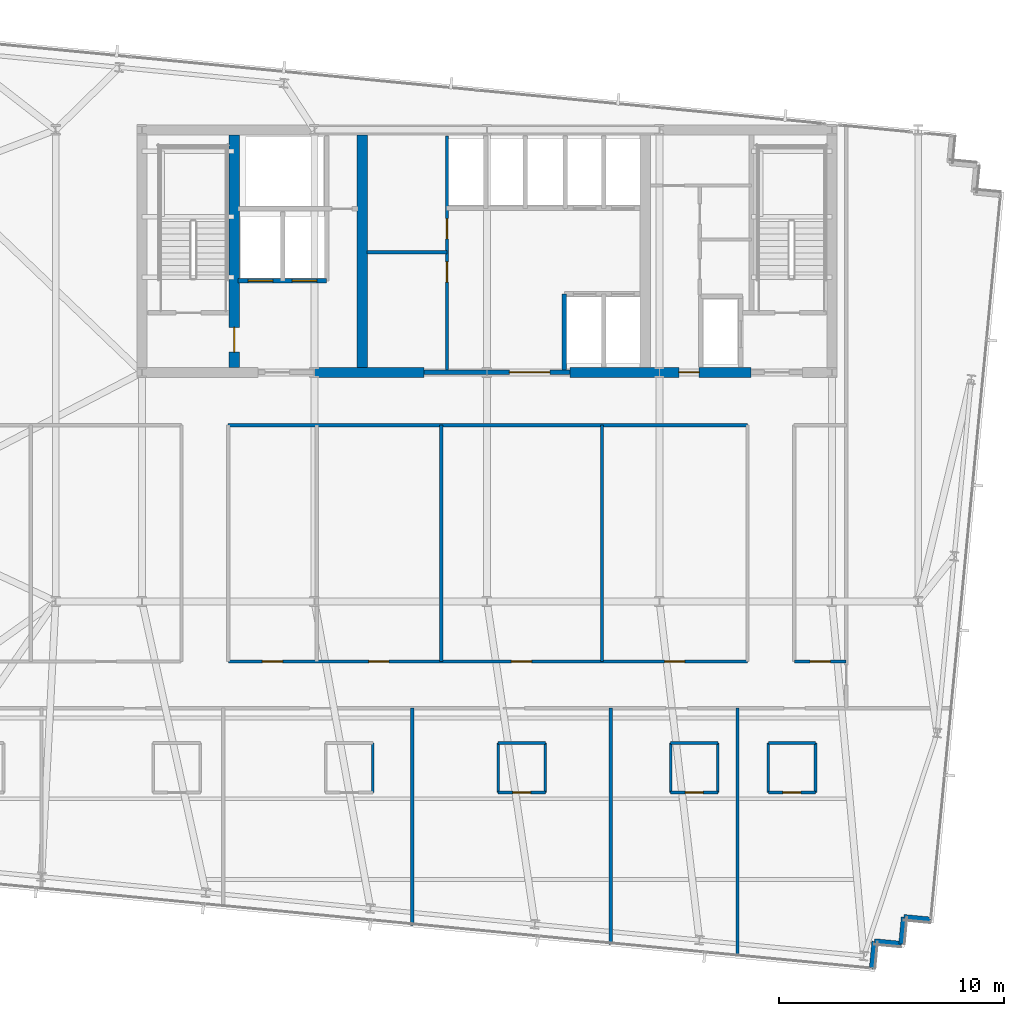
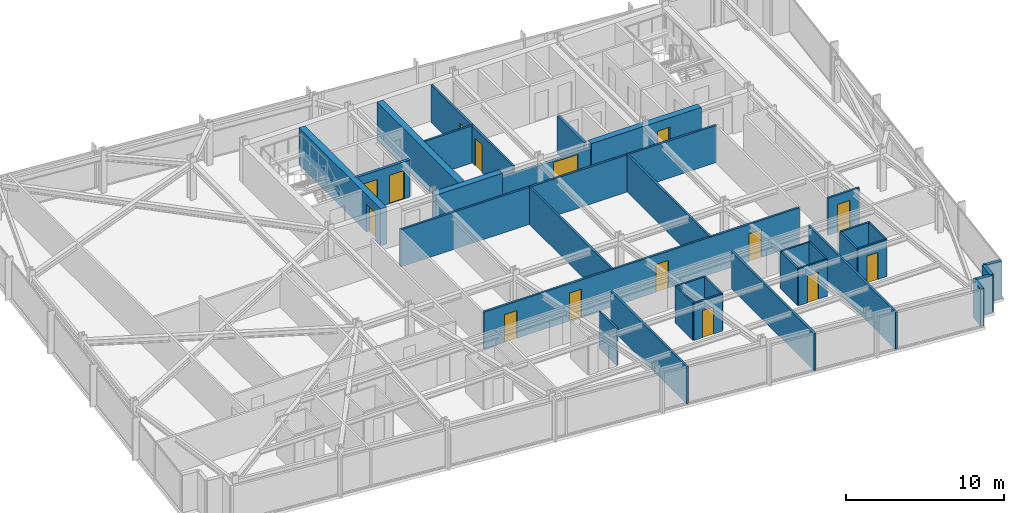
# One storey, part 30 of 37: 34 walls, 15 doors, 15 openings.
"""IFC4 building model written with IfcOpenShell, lengths in metres."""

from ifc_helpers import new_model, si_unit, direction, frame, frame_2d, origin, place, context, subcontext, project, spatial, rectangle, extrude, material, layer, layer_set, type_object, element, fill, save


model = new_model("IFC4")

# Units and contexts
model_context = context("Model", 3, precision=1e-05, world=origin(), true_north=direction((0.0, 1.0)))
body_context = subcontext(model_context, "Body", "Model", "MODEL_VIEW")
ifc_project = project(units=[si_unit("LENGTHUNIT", "METRE"), si_unit("AREAUNIT", "SQUARE_METRE"), si_unit("VOLUMEUNIT", "CUBIC_METRE"), si_unit("PLANEANGLEUNIT", "RADIAN"), si_unit("MASSUNIT", "GRAM", prefix="KILO")], contexts=[model_context])

# Site, building, storey
site_placement = place(None, origin())
site = spatial("IfcSite", under=ifc_project, at=site_placement, CompositionType="ELEMENT")
building_placement = place(site_placement, origin())
building = spatial("IfcBuilding", under=site, at=building_placement, Name="Yelkora Congress Tower", CompositionType="ELEMENT")
storey_placement = place(building_placement, frame((0.0, 0.0, 188.60009765625)))
storey = spatial("IfcBuildingStorey", under=building, at=storey_placement, Name="L52", CompositionType="ELEMENT", Elevation=188.60009765625)

# Wall
ifc_material_1 = material(Name="Concrete C60/75", Category="concrete")
ifc_layer_1 = layer(ifc_material_1, 0.449951171875)
ifc_layer_set_1 = layer_set([ifc_layer_1], Name="Concrete C60/75")
wall_type_1 = type_object("IfcWallType", Name="WALL-CORE-INT-450", PredefinedType="SHEAR", material=ifc_layer_set_1)
wall_1_placement = place(storey_placement, frame((30.719970703125, 35.39990234375, 0.0), z_axis=(0.0, 0.0, 1.0), x_axis=(1.0, 0.0, 0.0)))
element("IfcWall", 1, at=wall_1_placement, inside=storey, type_object=wall_type_1, Name="L52 Rear Core South-Center Shear Pier", PredefinedType="SHEAR", context=body_context, shape_type="SweptSolid", body=[
    extrude(rectangle(XDim=4.880126953125, YDim=0.449951171875, at=frame_2d((2.43994140625, 0.0))), origin(), (0.0, 0.0, 1.0), 2.8798828125),
])

# Wall, opening, door
wall_2_placement = place(storey_placement, frame((42.10009765625, 35.39990234375, 0.0), z_axis=(0.0, 0.0, 1.0), x_axis=(1.0, 0.0, 0.0)))
wall_2 = element("IfcWall", 2, at=wall_2_placement, inside=storey, type_object=wall_type_1, Name="L52 Rear Core South-East Shear Wall A", PredefinedType="SHEAR", context=body_context, shape_type="SweptSolid", body=[
    extrude(rectangle(XDim=8.0498046875, YDim=0.449951171875, at=frame_2d((4.02490234375, 0.0))), origin(), (0.0, 0.0, 1.0), 2.8798828125),
])
opening_1_placement = place(wall_2_placement, frame((4.85009765625, 0.0, 0.0)))
opening_1 = element("IfcOpeningElement", 3, at=opening_1_placement, cuts=wall_2, Name="Opening DR-090F6", PredefinedType="OPENING", context=body_context, shape_type="SweptSolid", body=[
    extrude(rectangle(XDim=0.89990234375, YDim=2.14990234375, at=frame_2d((0.449951171875, 1.074951171875))), frame((0.0, 0.23486328125, 0.0), z_axis=(0.0, -1.0, 0.0), x_axis=(1.0, 0.0, 0.0)), (0.0, 0.0, 1.0), 0.469970703125),
])
ifc_material_2 = material(Name="Painted steel riser fire door leaf", Category="steel")
door_type_1 = type_object("IfcDoorType", Name="DOOR-FD60-900", OperationType="NOTDEFINED", PredefinedType="DOOR", material=ifc_material_2)
door_1_placement = place(opening_1_placement, origin())
door_1 = element("IfcDoor", 4, at=door_1_placement, inside=storey, type_object=door_type_1, Name="L52 Core Washroom Lobby Door", OperationType="SINGLE_SWING_RIGHT", OverallHeight=2.14990234375, OverallWidth=0.89990234375, PredefinedType="DOOR", context=body_context, shape_type="SweptSolid", body=[
    extrude(rectangle(XDim=0.89990234375, YDim=2.14990234375, at=frame_2d((0.449951171875, 1.074951171875))), frame((0.0, 0.02490234375, 0.0), z_axis=(0.0, -1.0, 0.0), x_axis=(1.0, 0.0, 0.0)), (0.0, 0.0, 1.0), 0.050048828125),
])
fill(opening_1, door_1)

wall_3_placement = place(storey_placement, frame((27.14990234375, 35.625, 0.0), z_axis=(0.0, 0.0, 1.0), x_axis=(0.0, 1.0, 0.0)))
wall_3 = element("IfcWall", 5, at=wall_3_placement, inside=storey, type_object=wall_type_1, Name="L52 Rear Core Cross Shear Wall C1", PredefinedType="SHEAR", context=body_context, shape_type="SweptSolid", body=[
    extrude(rectangle(XDim=10.35009765625, YDim=0.449951171875, at=frame_2d((5.175048828125, 0.0))), origin(), (0.0, 0.0, 1.0), 2.8798828125),
])
opening_2_placement = place(wall_3_placement, frame((0.675048828125, 0.0, 0.0)))
opening_2 = element("IfcOpeningElement", 6, at=opening_2_placement, cuts=wall_3, Name="Opening DR-110F9", PredefinedType="OPENING", context=body_context, shape_type="SweptSolid", body=[
    extrude(rectangle(XDim=1.10009765625, YDim=2.14990234375, at=frame_2d((0.550048828125, 1.074951171875))), frame((0.0, 0.23486328125, 0.0), z_axis=(0.0, -1.0, 0.0), x_axis=(1.0, 0.0, 0.0)), (0.0, 0.0, 1.0), 0.469970703125),
])
ifc_material_3 = material(Name="Galvanised steel fire door leaf", Category="steel")
door_type_2 = type_object("IfcDoorType", Name="DOOR-FD90-1100", OperationType="NOTDEFINED", PredefinedType="DOOR", material=ifc_material_3)
door_2_placement = place(opening_2_placement, origin())
door_2 = element("IfcDoor", 7, at=door_2_placement, inside=storey, type_object=door_type_2, Name="L52 Firefighting Stair Transfer Door", OperationType="SINGLE_SWING_LEFT", OverallHeight=2.14990234375, OverallWidth=1.10009765625, PredefinedType="DOOR", context=body_context, shape_type="SweptSolid", body=[
    extrude(rectangle(XDim=1.10009765625, YDim=2.14990234375, at=frame_2d((0.550048828125, 1.074951171875))), frame((0.0, 0.02490234375, 0.0), z_axis=(0.0, -1.0, 0.0), x_axis=(1.0, 0.0, 0.0)), (0.0, 0.0, 1.0), 0.050048828125),
])
fill(opening_2, door_2)

# Walls
wall_4_placement = place(storey_placement, frame((32.85009765625, 35.625, 0.0), z_axis=(0.0, 0.0, 1.0), x_axis=(0.0, 1.0, 0.0)))
element("IfcWall", 8, at=wall_4_placement, inside=storey, type_object=wall_type_1, Name="L52 Rear Core Cross Shear Wall C2", PredefinedType="SHEAR", context=body_context, shape_type="SweptSolid", body=[
    extrude(rectangle(XDim=10.35009765625, YDim=0.449951171875, at=frame_2d((5.175048828125, 0.0))), origin(), (0.0, 0.0, 1.0), 2.8798828125),
])
ifc_material_4 = material(Name="Concrete C40/50", Category="concrete")
ifc_layer_2 = layer(ifc_material_4, 0.239990234375)
ifc_layer_set_2 = layer_set([ifc_layer_2], Name="Concrete C40/50")
wall_type_2 = type_object("IfcWallType", Name="WALL-EXT-LIMESTONE-240", PredefinedType="SOLIDWALL", material=ifc_layer_set_2)
wall_5_placement = place(storey_placement, frame((58.160400390625, 11.033203125, 0.0), z_axis=(0.0, 0.0, 1.0), x_axis=(-0.995398960025, 0.095817067274, 0.0)))
element("IfcWall", 9, at=wall_5_placement, inside=storey, type_object=wall_type_2, Name="L52 Serrated Corner Limestone Pier 16", PredefinedType="SOLIDWALL", context=body_context, shape_type="SweptSolid", body=[
    extrude(rectangle(XDim=1.2001953125, YDim=0.239990234375, at=frame_2d((0.60009765625, 0.0))), origin(), (0.0, 0.0, 1.0), 2.8798828125),
])
for number, where, z_axis, x_axis, name in (
    (10, (56.9658203125, 11.148193359375, 0.0), (0.0, 0.0, 1.0), (-0.095836473879, -0.995397091755, 0.0), "L52 Serrated Corner Limestone Pier 17"),
    (11, (56.850830078125, 9.953857421875, 0.0), (0.0, 0.0, 1.0), (-0.995397091755, 0.095836473879, 0.0), "L52 Serrated Corner Limestone Pier 18"),
):
    element("IfcWall", number, at=place(storey_placement, frame(where, z_axis=z_axis, x_axis=x_axis)), inside=storey, type_object=wall_type_2, Name=name, PredefinedType="SOLIDWALL", context=body_context, shape_type="SweptSolid", body=[
        extrude(rectangle(XDim=1.199951171875, YDim=0.239990234375, at=frame_2d((0.60009765625, 0.0))), origin(), (0.0, 0.0, 1.0), 2.8798828125),
    ])
wall_6_placement = place(storey_placement, frame((55.656494140625, 10.06884765625, 0.0), z_axis=(0.0, 0.0, 1.0), x_axis=(-0.095817067274, -0.995398960025, 0.0)))
element("IfcWall", 12, at=wall_6_placement, inside=storey, type_object=wall_type_2, Name="L52 Serrated Corner Limestone Pier 19", PredefinedType="SOLIDWALL", context=body_context, shape_type="SweptSolid", body=[
    extrude(rectangle(XDim=1.2001953125, YDim=0.239990234375, at=frame_2d((0.60009765625, 0.0))), origin(), (0.0, 0.0, 1.0), 2.8798828125),
])
ifc_material_5 = material(Name="Moisture-resistant gypsum partition", Category="gypsum")
ifc_layer_3 = layer(ifc_material_5, 0.1201171875)
ifc_layer_set_3 = layer_set([ifc_layer_3], Name="Moisture-resistant gypsum partition")
wall_type_3 = type_object("IfcWallType", Name="WALL-INT-120-NR", PredefinedType="PARTITIONING", material=ifc_layer_set_3)
wall_7_placement = place(storey_placement, frame((33.320068359375, 16.699951171875, 0.0), z_axis=(0.0, 0.0, 1.0), x_axis=(0.0, 1.0, 0.0)))
element("IfcWall", 13, at=wall_7_placement, inside=storey, type_object=wall_type_3, Name="L52 Partition Wall 43", PredefinedType="PARTITIONING", context=body_context, shape_type="SweptSolid", body=[
    extrude(rectangle(XDim=2.199951171875, YDim=0.1201171875, at=frame_2d((1.10009765625, 0.0))), origin(), (0.0, 0.0, 1.0), 2.8798828125),
])
wall_8_placement = place(storey_placement, frame((38.89990234375, 18.89990234375, 0.0), z_axis=(0.0, 0.0, 1.0), x_axis=(1.0, 0.0, 0.0)))
element("IfcWall", 14, at=wall_8_placement, inside=storey, type_object=wall_type_3, Name="L52 Partition Wall 46", PredefinedType="PARTITIONING", context=body_context, shape_type="SweptSolid", body=[
    extrude(rectangle(XDim=2.10009765625, YDim=0.1201171875, at=frame_2d((1.050048828125, 0.0))), origin(), (0.0, 0.0, 1.0), 2.8798828125),
])
for number, where, z_axis, x_axis, name in (
    (15, (38.89990234375, 16.699951171875, 0.0), (0.0, 0.0, 1.0), (0.0, 1.0, 0.0), "L52 Partition Wall 47"),
    (16, (41.0, 16.699951171875, 0.0), (0.0, 0.0, 1.0), (0.0, 1.0, 0.0), "L52 Partition Wall 48"),
):
    element("IfcWall", number, at=place(storey_placement, frame(where, z_axis=z_axis, x_axis=x_axis)), inside=storey, type_object=wall_type_3, Name=name, PredefinedType="PARTITIONING", context=body_context, shape_type="SweptSolid", body=[
        extrude(rectangle(XDim=2.199951171875, YDim=0.1201171875, at=frame_2d((1.10009765625, 0.0))), origin(), (0.0, 0.0, 1.0), 2.8798828125),
    ])

# Wall, opening, door
wall_9_placement = place(storey_placement, frame((38.89990234375, 16.699951171875, 0.0), z_axis=(0.0, 0.0, 1.0), x_axis=(1.0, 0.0, 0.0)))
wall_9 = element("IfcWall", 17, at=wall_9_placement, inside=storey, type_object=wall_type_3, Name="L52 Partition Wall 49", PredefinedType="PARTITIONING", context=body_context, shape_type="SweptSolid", body=[
    extrude(rectangle(XDim=2.10009765625, YDim=0.1201171875, at=frame_2d((1.050048828125, 0.0))), origin(), (0.0, 0.0, 1.0), 2.8798828125),
])
opening_3_placement = place(wall_9_placement, frame((0.64990234375, 0.0, 0.0)))
opening_3 = element("IfcOpeningElement", 18, at=opening_3_placement, cuts=wall_9, Name="Opening DR-080B", PredefinedType="OPENING", context=body_context, shape_type="SweptSolid", body=[
    extrude(rectangle(XDim=0.800048828125, YDim=2.10009765625, at=frame_2d((0.39990234375, 1.050048828125))), frame((0.0, 0.070068359375, 0.0), z_axis=(0.0, -1.0, 0.0), x_axis=(1.0, 0.0, 0.0)), (0.0, 0.0, 1.0), 0.14013671875),
])
ifc_material_6 = material(Name="Moisture-sealed en-suite timber door", Category="wood")
door_type_3 = type_object("IfcDoorType", Name="DOOR-BATH-800", OperationType="NOTDEFINED", PredefinedType="DOOR", material=ifc_material_6)
door_3_placement = place(opening_3_placement, origin())
door_3 = element("IfcDoor", 19, at=door_3_placement, inside=storey, type_object=door_type_3, Name="L52 En-suite Door 5", OperationType="SINGLE_SWING_LEFT", OverallHeight=2.10009765625, OverallWidth=0.800048828125, PredefinedType="DOOR", context=body_context, shape_type="SweptSolid", body=[
    extrude(rectangle(XDim=0.800048828125, YDim=2.10009765625, at=frame_2d((0.39990234375, 1.050048828125))), frame((0.0, 0.02490234375, 0.0), z_axis=(0.0, -1.0, 0.0), x_axis=(1.0, 0.0, 0.0)), (0.0, 0.0, 1.0), 0.050048828125),
])
fill(opening_3, door_3)

# Walls
wall_10_placement = place(storey_placement, frame((46.580078125, 18.89990234375, 0.0), z_axis=(0.0, 0.0, 1.0), x_axis=(1.0, 0.0, 0.0)))
element("IfcWall", 20, at=wall_10_placement, inside=storey, type_object=wall_type_3, Name="L52 Partition Wall 51", PredefinedType="PARTITIONING", context=body_context, shape_type="SweptSolid", body=[
    extrude(rectangle(XDim=2.099853515625, YDim=0.1201171875, at=frame_2d((1.0498046875, 0.0))), origin(), (0.0, 0.0, 1.0), 2.8798828125),
])
for number, where, z_axis, x_axis, name in (
    (21, (46.580078125, 16.699951171875, 0.0), (0.0, 0.0, 1.0), (0.0, 1.0, 0.0), "L52 Partition Wall 52"),
    (22, (48.679931640625, 16.699951171875, 0.0), (0.0, 0.0, 1.0), (0.0, 1.0, 0.0), "L52 Partition Wall 53"),
):
    element("IfcWall", number, at=place(storey_placement, frame(where, z_axis=z_axis, x_axis=x_axis)), inside=storey, type_object=wall_type_3, Name=name, PredefinedType="PARTITIONING", context=body_context, shape_type="SweptSolid", body=[
        extrude(rectangle(XDim=2.199951171875, YDim=0.1201171875, at=frame_2d((1.10009765625, 0.0))), origin(), (0.0, 0.0, 1.0), 2.8798828125),
    ])

# Wall, opening, door
wall_11_placement = place(storey_placement, frame((46.580078125, 16.699951171875, 0.0), z_axis=(0.0, 0.0, 1.0), x_axis=(1.0, 0.0, 0.0)))
wall_11 = element("IfcWall", 23, at=wall_11_placement, inside=storey, type_object=wall_type_3, Name="L52 Partition Wall 54", PredefinedType="PARTITIONING", context=body_context, shape_type="SweptSolid", body=[
    extrude(rectangle(XDim=2.099853515625, YDim=0.1201171875, at=frame_2d((1.0498046875, 0.0))), origin(), (0.0, 0.0, 1.0), 2.8798828125),
])
opening_4_placement = place(wall_11_placement, frame((0.64990234375, 0.0, 0.0)))
opening_4 = element("IfcOpeningElement", 24, at=opening_4_placement, cuts=wall_11, Name="Opening DR-080B", PredefinedType="OPENING", context=body_context, shape_type="SweptSolid", body=[
    extrude(rectangle(XDim=0.800048828125, YDim=2.10009765625, at=frame_2d((0.39990234375, 1.050048828125))), frame((0.0, 0.070068359375, 0.0), z_axis=(0.0, -1.0, 0.0), x_axis=(1.0, 0.0, 0.0)), (0.0, 0.0, 1.0), 0.14013671875),
])
door_4_placement = place(opening_4_placement, origin())
door_4 = element("IfcDoor", 25, at=door_4_placement, inside=storey, type_object=door_type_3, Name="L52 En-suite Door 6", OperationType="SINGLE_SWING_RIGHT", OverallHeight=2.10009765625, OverallWidth=0.800048828125, PredefinedType="DOOR", context=body_context, shape_type="SweptSolid", body=[
    extrude(rectangle(XDim=0.800048828125, YDim=2.10009765625, at=frame_2d((0.39990234375, 1.050048828125))), frame((0.0, 0.02490234375, 0.0), z_axis=(0.0, -1.0, 0.0), x_axis=(1.0, 0.0, 0.0)), (0.0, 0.0, 1.0), 0.050048828125),
])
fill(opening_4, door_4)

# Walls
wall_12_placement = place(storey_placement, frame((50.927001953125, 18.89990234375, 0.0), z_axis=(0.0, 0.0, 1.0), x_axis=(1.0, 0.0, 0.0)))
element("IfcWall", 26, at=wall_12_placement, inside=storey, type_object=wall_type_3, Name="L52 Partition Wall 56", PredefinedType="PARTITIONING", context=body_context, shape_type="SweptSolid", body=[
    extrude(rectangle(XDim=2.10009765625, YDim=0.1201171875, at=frame_2d((1.050048828125, 0.0))), origin(), (0.0, 0.0, 1.0), 2.8798828125),
])
for number, where, z_axis, x_axis, name in (
    (27, (50.927001953125, 16.699951171875, 0.0), (0.0, 0.0, 1.0), (0.0, 1.0, 0.0), "L52 Partition Wall 57"),
    (28, (53.027099609375, 16.699951171875, 0.0), (0.0, 0.0, 1.0), (0.0, 1.0, 0.0), "L52 Partition Wall 58"),
):
    element("IfcWall", number, at=place(storey_placement, frame(where, z_axis=z_axis, x_axis=x_axis)), inside=storey, type_object=wall_type_3, Name=name, PredefinedType="PARTITIONING", context=body_context, shape_type="SweptSolid", body=[
        extrude(rectangle(XDim=2.199951171875, YDim=0.1201171875, at=frame_2d((1.10009765625, 0.0))), origin(), (0.0, 0.0, 1.0), 2.8798828125),
    ])

# Wall, opening, door
wall_13_placement = place(storey_placement, frame((50.927001953125, 16.699951171875, 0.0), z_axis=(0.0, 0.0, 1.0), x_axis=(1.0, 0.0, 0.0)))
wall_13 = element("IfcWall", 29, at=wall_13_placement, inside=storey, type_object=wall_type_3, Name="L52 Partition Wall 59", PredefinedType="PARTITIONING", context=body_context, shape_type="SweptSolid", body=[
    extrude(rectangle(XDim=2.10009765625, YDim=0.1201171875, at=frame_2d((1.050048828125, 0.0))), origin(), (0.0, 0.0, 1.0), 2.8798828125),
])
opening_5_placement = place(wall_13_placement, frame((0.64990234375, 0.0, 0.0)))
opening_5 = element("IfcOpeningElement", 30, at=opening_5_placement, cuts=wall_13, Name="Opening DR-080B", PredefinedType="OPENING", context=body_context, shape_type="SweptSolid", body=[
    extrude(rectangle(XDim=0.800048828125, YDim=2.10009765625, at=frame_2d((0.39990234375, 1.050048828125))), frame((0.0, 0.070068359375, 0.0), z_axis=(0.0, -1.0, 0.0), x_axis=(1.0, 0.0, 0.0)), (0.0, 0.0, 1.0), 0.14013671875),
])
door_5_placement = place(opening_5_placement, origin())
door_5 = element("IfcDoor", 31, at=door_5_placement, inside=storey, type_object=door_type_3, Name="L52 En-suite Door 7", OperationType="SINGLE_SWING_LEFT", OverallHeight=2.10009765625, OverallWidth=0.800048828125, PredefinedType="DOOR", context=body_context, shape_type="SweptSolid", body=[
    extrude(rectangle(XDim=0.800048828125, YDim=2.10009765625, at=frame_2d((0.39990234375, 1.050048828125))), frame((0.0, 0.02490234375, 0.0), z_axis=(0.0, -1.0, 0.0), x_axis=(1.0, 0.0, 0.0)), (0.0, 0.0, 1.0), 0.050048828125),
])
fill(opening_5, door_5)

# Walls
ifc_material_7 = material(Name="Acoustic metal-stud gypsum partition", Category="gypsum")
ifc_layer_4 = layer(ifc_material_7, 0.14990234375)
ifc_layer_set_4 = layer_set([ifc_layer_4], Name="Acoustic metal-stud gypsum partition")
wall_type_4 = type_object("IfcWallType", Name="WALL-INT-150-NR", PredefinedType="PARTITIONING", material=ifc_layer_set_4)
wall_14_placement = place(storey_placement, frame((26.8798828125, 33.050048828125, 0.0), z_axis=(0.0, 0.0, 1.0), x_axis=(1.0, 0.0, 0.0)))
element("IfcWall", 32, at=wall_14_placement, inside=storey, type_object=wall_type_4, Name="L52 Partition Wall 69", PredefinedType="PARTITIONING", context=body_context, shape_type="SweptSolid", body=[
    extrude(rectangle(XDim=23.1201171875, YDim=0.14990234375, at=frame_2d((11.56005859375, 0.0))), origin(), (0.0, 0.0, 1.0), 2.8798828125),
])
for number, where, z_axis, x_axis, name in (
    (33, (36.361083984375, 22.530029296875, 0.0), (0.0, 0.0, 1.0), (0.0, 1.0, 0.0), "L52 Partition Wall 75"),
    (34, (43.52197265625, 22.530029296875, 0.0), (0.0, 0.0, 1.0), (0.0, 1.0, 0.0), "L52 Partition Wall 76"),
):
    element("IfcWall", number, at=place(storey_placement, frame(where, z_axis=z_axis, x_axis=x_axis)), inside=storey, type_object=wall_type_4, Name=name, PredefinedType="PARTITIONING", context=body_context, shape_type="SweptSolid", body=[
        extrude(rectangle(XDim=10.52001953125, YDim=0.14990234375, at=frame_2d((5.260009765625, 0.0))), origin(), (0.0, 0.0, 1.0), 2.8798828125),
    ])

# Wall, openings, doors
wall_15_placement = place(storey_placement, frame((26.889892578125, 22.530029296875, 0.0), z_axis=(0.0, 0.0, 1.0), x_axis=(1.0, 0.0, 0.0)))
wall_15 = element("IfcWall", 35, at=wall_15_placement, inside=storey, type_object=wall_type_4, Name="L52 Partition Wall 77", PredefinedType="PARTITIONING", context=body_context, shape_type="SweptSolid", body=[
    extrude(rectangle(XDim=23.10009765625, YDim=0.14990234375, at=frame_2d((11.550048828125, 0.0))), origin(), (0.0, 0.0, 1.0), 2.8798828125),
])
opening_6_placement = place(wall_15_placement, frame((1.513427734375, 0.0, 0.0)))
opening_6 = element("IfcOpeningElement", 36, at=opening_6_placement, cuts=wall_15, Name="Opening DR-090N", PredefinedType="OPENING", context=body_context, shape_type="SweptSolid", body=[
    extrude(rectangle(XDim=0.89990234375, YDim=2.14990234375, at=frame_2d((0.449951171875, 1.074951171875))), frame((0.0, 0.0849609375, 0.0), z_axis=(0.0, -1.0, 0.0), x_axis=(1.0, 0.0, 0.0)), (0.0, 0.0, 1.0), 0.169921875),
])
opening_7_placement = place(wall_15_placement, frame((6.2490234375, 0.0, 0.0)))
opening_7 = element("IfcOpeningElement", 37, at=opening_7_placement, cuts=wall_15, Name="Opening DR-090N", PredefinedType="OPENING", context=body_context, shape_type="SweptSolid", body=[
    extrude(rectangle(XDim=0.89990234375, YDim=2.14990234375, at=frame_2d((0.449951171875, 1.074951171875))), frame((0.0, 0.0849609375, 0.0), z_axis=(0.0, -1.0, 0.0), x_axis=(1.0, 0.0, 0.0)), (0.0, 0.0, 1.0), 0.169921875),
])
opening_8_placement = place(wall_15_placement, frame((12.6015625, 0.0, 0.0)))
opening_8 = element("IfcOpeningElement", 38, at=opening_8_placement, cuts=wall_15, Name="Opening DR-090N", PredefinedType="OPENING", context=body_context, shape_type="SweptSolid", body=[
    extrude(rectangle(XDim=0.89990234375, YDim=2.14990234375, at=frame_2d((0.449951171875, 1.074951171875))), frame((0.0, 0.0849609375, 0.0), z_axis=(0.0, -1.0, 0.0), x_axis=(1.0, 0.0, 0.0)), (0.0, 0.0, 1.0), 0.169921875),
])
opening_9_placement = place(wall_15_placement, frame((19.416015625, 0.0, 0.0)))
opening_9 = element("IfcOpeningElement", 39, at=opening_9_placement, cuts=wall_15, Name="Opening DR-090N", PredefinedType="OPENING", context=body_context, shape_type="SweptSolid", body=[
    extrude(rectangle(XDim=0.89990234375, YDim=2.14990234375, at=frame_2d((0.449951171875, 1.074951171875))), frame((0.0, 0.0849609375, 0.0), z_axis=(0.0, -1.0, 0.0), x_axis=(1.0, 0.0, 0.0)), (0.0, 0.0, 1.0), 0.169921875),
])
ifc_material_8 = material(Name="Moisture-resistant laminate door leaf", Category="wood")
door_type_4 = type_object("IfcDoorType", Name="DOOR-INT-900", OperationType="NOTDEFINED", PredefinedType="DOOR", material=ifc_material_8)
door_6_placement = place(opening_6_placement, origin())
door_6 = element("IfcDoor", 40, at=door_6_placement, inside=storey, type_object=door_type_4, Name="L52 Executive Study Office Door", OperationType="SINGLE_SWING_RIGHT", OverallHeight=2.14990234375, OverallWidth=0.89990234375, PredefinedType="DOOR", context=body_context, shape_type="SweptSolid", body=[
    extrude(rectangle(XDim=0.89990234375, YDim=2.14990234375, at=frame_2d((0.449951171875, 1.074951171875))), frame((0.0, 0.02490234375, 0.0), z_axis=(0.0, -1.0, 0.0), x_axis=(1.0, 0.0, 0.0)), (0.0, 0.0, 1.0), 0.050048828125),
])
fill(opening_6, door_6)
door_7_placement = place(opening_7_placement, origin())
door_7 = element("IfcDoor", 41, at=door_7_placement, inside=storey, type_object=door_type_4, Name="L52 Delegate Reading Lounge Door", OperationType="SINGLE_SWING_LEFT", OverallHeight=2.14990234375, OverallWidth=0.89990234375, PredefinedType="DOOR", context=body_context, shape_type="SweptSolid", body=[
    extrude(rectangle(XDim=0.89990234375, YDim=2.14990234375, at=frame_2d((0.449951171875, 1.074951171875))), frame((0.0, 0.02490234375, 0.0), z_axis=(0.0, -1.0, 0.0), x_axis=(1.0, 0.0, 0.0)), (0.0, 0.0, 1.0), 0.050048828125),
])
fill(opening_7, door_7)
door_8_placement = place(opening_8_placement, origin())
door_8 = element("IfcDoor", 42, at=door_8_placement, inside=storey, type_object=door_type_4, Name="L52 Seminar Briefing Room Door", OperationType="SINGLE_SWING_RIGHT", OverallHeight=2.14990234375, OverallWidth=0.89990234375, PredefinedType="DOOR", context=body_context, shape_type="SweptSolid", body=[
    extrude(rectangle(XDim=0.89990234375, YDim=2.14990234375, at=frame_2d((0.449951171875, 1.074951171875))), frame((0.0, 0.02490234375, 0.0), z_axis=(0.0, -1.0, 0.0), x_axis=(1.0, 0.0, 0.0)), (0.0, 0.0, 1.0), 0.050048828125),
])
fill(opening_8, door_8)
door_9_placement = place(opening_9_placement, origin())
door_9 = element("IfcDoor", 43, at=door_9_placement, inside=storey, type_object=door_type_4, Name="L52 Executive Study Office Door", OperationType="SINGLE_SWING_LEFT", OverallHeight=2.14990234375, OverallWidth=0.89990234375, PredefinedType="DOOR", context=body_context, shape_type="SweptSolid", body=[
    extrude(rectangle(XDim=0.89990234375, YDim=2.14990234375, at=frame_2d((0.449951171875, 1.074951171875))), frame((0.0, 0.02490234375, 0.0), z_axis=(0.0, -1.0, 0.0), x_axis=(1.0, 0.0, 0.0)), (0.0, 0.0, 1.0), 0.050048828125),
])
fill(opening_9, door_9)

# Wall, opening, door
wall_16_placement = place(storey_placement, frame((52.090087890625, 22.530029296875, 0.0), z_axis=(0.0, 0.0, 1.0), x_axis=(1.0, 0.0, 0.0)))
wall_16 = element("IfcWall", 44, at=wall_16_placement, inside=storey, type_object=wall_type_4, Name="L52 Partition Wall 78", PredefinedType="PARTITIONING", context=body_context, shape_type="SweptSolid", body=[
    extrude(rectangle(XDim=2.289794921875, YDim=0.14990234375, at=frame_2d((1.14501953125, 0.0))), origin(), (0.0, 0.0, 1.0), 2.8798828125),
])
opening_10_placement = place(wall_16_placement, frame((0.695068359375, 0.0, 0.0)))
opening_10 = element("IfcOpeningElement", 45, at=opening_10_placement, cuts=wall_16, Name="Opening DR-090N", PredefinedType="OPENING", context=body_context, shape_type="SweptSolid", body=[
    extrude(rectangle(XDim=0.89990234375, YDim=2.14990234375, at=frame_2d((0.449951171875, 1.074951171875))), frame((0.0, 0.0849609375, 0.0), z_axis=(0.0, -1.0, 0.0), x_axis=(1.0, 0.0, 0.0)), (0.0, 0.0, 1.0), 0.169921875),
])
door_10_placement = place(opening_10_placement, origin())
door_10 = element("IfcDoor", 46, at=door_10_placement, inside=storey, type_object=door_type_4, Name="L52 Delegate Reading Lounge Door", OperationType="SINGLE_SWING_RIGHT", OverallHeight=2.14990234375, OverallWidth=0.89990234375, PredefinedType="DOOR", context=body_context, shape_type="SweptSolid", body=[
    extrude(rectangle(XDim=0.89990234375, YDim=2.14990234375, at=frame_2d((0.449951171875, 1.074951171875))), frame((0.0, 0.02490234375, 0.0), z_axis=(0.0, -1.0, 0.0), x_axis=(1.0, 0.0, 0.0)), (0.0, 0.0, 1.0), 0.050048828125),
])
fill(opening_10, door_10)

# Wall
ifc_material_9 = material(Name="Twin-stud fire-rated gypsum partition", Category="gypsum")
ifc_layer_5 = layer(ifc_material_9, 0.14990234375)
ifc_layer_set_5 = layer_set([ifc_layer_5], Name="Twin-stud fire-rated gypsum partition")
wall_type_5 = type_object("IfcWallType", Name="WALL-INT-150-R60", PredefinedType="PARTITIONING", material=ifc_layer_set_5)
wall_17_placement = place(storey_placement, frame((33.050048828125, 40.75, 0.0), z_axis=(0.0, 0.0, 1.0), x_axis=(1.0, 0.0, 0.0)))
element("IfcWall", 47, at=wall_17_placement, inside=storey, type_object=wall_type_5, Name="L52 Partition Wall 11", PredefinedType="PARTITIONING", context=body_context, shape_type="SweptSolid", body=[
    extrude(rectangle(XDim=3.570068359375, YDim=0.14990234375, at=frame_2d((1.78515625, 0.0))), origin(), (0.0, 0.0, 1.0), 2.8798828125),
])

# Wall, openings, doors
wall_18_placement = place(storey_placement, frame((36.6201171875, 35.5, 0.0), z_axis=(0.0, 0.0, 1.0), x_axis=(0.0, 1.0, 0.0)))
wall_18 = element("IfcWall", 48, at=wall_18_placement, inside=storey, type_object=wall_type_5, Name="L52 Partition Wall 12", PredefinedType="PARTITIONING", context=body_context, shape_type="SweptSolid", body=[
    extrude(rectangle(XDim=10.419921875, YDim=0.14990234375, at=frame_2d((5.2099609375, 0.0))), origin(), (0.0, 0.0, 1.0), 2.8798828125),
])
opening_11_placement = place(wall_18_placement, frame((3.919921875, 0.0, 0.0)))
opening_11 = element("IfcOpeningElement", 49, at=opening_11_placement, cuts=wall_18, Name="Opening DR-090F6", PredefinedType="OPENING", context=body_context, shape_type="SweptSolid", body=[
    extrude(rectangle(XDim=0.89990234375, YDim=2.14990234375, at=frame_2d((0.449951171875, 1.074951171875))), frame((0.0, 0.0849609375, 0.0), z_axis=(0.0, -1.0, 0.0), x_axis=(1.0, 0.0, 0.0)), (0.0, 0.0, 1.0), 0.169921875),
])
opening_12_placement = place(wall_18_placement, frame((5.85009765625, 0.0, 0.0)))
opening_12 = element("IfcOpeningElement", 50, at=opening_12_placement, cuts=wall_18, Name="Opening DR-090F6", PredefinedType="OPENING", context=body_context, shape_type="SweptSolid", body=[
    extrude(rectangle(XDim=0.89990234375, YDim=2.14990234375, at=frame_2d((0.449951171875, 1.074951171875))), frame((0.0, 0.0849609375, 0.0), z_axis=(0.0, -1.0, 0.0), x_axis=(1.0, 0.0, 0.0)), (0.0, 0.0, 1.0), 0.169921875),
])
door_11_placement = place(opening_11_placement, origin())
door_11 = element("IfcDoor", 51, at=door_11_placement, inside=storey, type_object=door_type_1, Name="L52 Telecom Store Door", OperationType="SINGLE_SWING_LEFT", OverallHeight=2.14990234375, OverallWidth=0.89990234375, PredefinedType="DOOR", context=body_context, shape_type="SweptSolid", body=[
    extrude(rectangle(XDim=0.89990234375, YDim=2.14990234375, at=frame_2d((0.449951171875, 1.074951171875))), frame((0.0, 0.02490234375, 0.0), z_axis=(0.0, -1.0, 0.0), x_axis=(1.0, 0.0, 0.0)), (0.0, 0.0, 1.0), 0.050048828125),
])
fill(opening_11, door_11)
door_12_placement = place(opening_12_placement, origin())
door_12 = element("IfcDoor", 52, at=door_12_placement, inside=storey, type_object=door_type_1, Name="L52 Archive Store Door", OperationType="SINGLE_SWING_RIGHT", OverallHeight=2.14990234375, OverallWidth=0.89990234375, PredefinedType="DOOR", context=body_context, shape_type="SweptSolid", body=[
    extrude(rectangle(XDim=0.89990234375, YDim=2.14990234375, at=frame_2d((0.449951171875, 1.074951171875))), frame((0.0, 0.02490234375, 0.0), z_axis=(0.0, -1.0, 0.0), x_axis=(1.0, 0.0, 0.0)), (0.0, 0.0, 1.0), 0.050048828125),
])
fill(opening_12, door_12)

# Walls
wall_19_placement = place(storey_placement, frame((35.070068359375, 10.78515625, 0.0), z_axis=(0.0, 0.0, 1.0), x_axis=(0.0, 1.0, 0.0)))
element("IfcWall", 53, at=wall_19_placement, inside=storey, type_object=wall_type_5, Name="L52 Partition Wall 50", PredefinedType="PARTITIONING", context=body_context, shape_type="SweptSolid", body=[
    extrude(rectangle(XDim=9.684814453125, YDim=0.14990234375, at=frame_2d((4.84228515625, 0.0))), origin(), (0.0, 0.0, 1.0), 2.8798828125),
])
wall_20_placement = place(storey_placement, frame((43.906005859375, 9.934326171875, 0.0), z_axis=(0.0, 0.0, 1.0), x_axis=(0.0, 1.0, 0.0)))
element("IfcWall", 54, at=wall_20_placement, inside=storey, type_object=wall_type_5, Name="L52 Partition Wall 55", PredefinedType="PARTITIONING", context=body_context, shape_type="SweptSolid", body=[
    extrude(rectangle(XDim=10.53564453125, YDim=0.14990234375, at=frame_2d((5.267822265625, 0.0))), origin(), (0.0, 0.0, 1.0), 2.8798828125),
])
wall_21_placement = place(storey_placement, frame((49.552978515625, 9.390625, 0.0), z_axis=(0.0, 0.0, 1.0), x_axis=(0.0, 1.0, 0.0)))
element("IfcWall", 55, at=wall_21_placement, inside=storey, type_object=wall_type_5, Name="L52 Partition Wall 60", PredefinedType="PARTITIONING", context=body_context, shape_type="SweptSolid", body=[
    extrude(rectangle(XDim=11.079345703125, YDim=0.14990234375, at=frame_2d((5.53955078125, 0.0))), origin(), (0.0, 0.0, 1.0), 2.8798828125),
])

# Wall, openings, doors
ifc_material_10 = material(Name="Autoclaved aerated concrete blockwork", Category="masonry")
ifc_layer_6 = layer(ifc_material_10, 0.199951171875)
ifc_layer_set_6 = layer_set([ifc_layer_6], Name="Autoclaved aerated concrete blockwork")
wall_type_6 = type_object("IfcWallType", Name="WALL-INT-200-R120", PredefinedType="PARTITIONING", material=ifc_layer_set_6)
wall_22_placement = place(storey_placement, frame((27.320068359375, 39.47998046875, 0.0), z_axis=(0.0, 0.0, 1.0), x_axis=(1.0, 0.0, 0.0)))
wall_22 = element("IfcWall", 56, at=wall_22_placement, inside=storey, type_object=wall_type_6, Name="L52 Firefighting Lift Front Wall", PredefinedType="PARTITIONING", context=body_context, shape_type="SweptSolid", body=[
    extrude(rectangle(XDim=3.93994140625, YDim=0.199951171875, at=frame_2d((1.969970703125, 0.0))), origin(), (0.0, 0.0, 1.0), 2.8798828125),
])
opening_13_placement = place(wall_22_placement, frame((0.449951171875, 0.0, 0.0)))
opening_13 = element("IfcOpeningElement", 57, at=opening_13_placement, cuts=wall_22, Name="Opening LD-FF11", PredefinedType="OPENING", context=body_context, shape_type="SweptSolid", body=[
    extrude(rectangle(XDim=1.10009765625, YDim=2.199951171875, at=frame_2d((0.550048828125, 1.10009765625))), frame((0.0, 0.10986328125, 0.0), z_axis=(0.0, -1.0, 0.0), x_axis=(1.0, 0.0, 0.0)), (0.0, 0.0, 1.0), 0.219970703125),
])
opening_14_placement = place(wall_22_placement, frame((2.409912109375, 0.0, 0.0)))
opening_14 = element("IfcOpeningElement", 58, at=opening_14_placement, cuts=wall_22, Name="Opening LD-FF11", PredefinedType="OPENING", context=body_context, shape_type="SweptSolid", body=[
    extrude(rectangle(XDim=1.10009765625, YDim=2.199951171875, at=frame_2d((0.550048828125, 1.10009765625))), frame((0.0, 0.10986328125, 0.0), z_axis=(0.0, -1.0, 0.0), x_axis=(1.0, 0.0, 0.0)), (0.0, 0.0, 1.0), 0.219970703125),
])
ifc_material_11 = material(Name="Brushed stainless steel 316L landing door", Category="steel")
door_type_5 = type_object("IfcDoorType", Name="DOOR-LIFT-FF-1100", OperationType="DOUBLE_DOOR_SLIDING", PredefinedType="DOOR", material=ifc_material_11)
door_13_placement = place(opening_13_placement, origin())
door_13 = element("IfcDoor", 59, at=door_13_placement, inside=storey, type_object=door_type_5, Name="Lift Landing Door LF-FF1 L52", OperationType="DOUBLE_DOOR_SLIDING", OverallHeight=2.199951171875, OverallWidth=1.10009765625, PredefinedType="DOOR", context=body_context, shape_type="SweptSolid", body=[
    extrude(rectangle(XDim=1.10009765625, YDim=2.199951171875, at=frame_2d((0.550048828125, 1.10009765625))), frame((0.0, 0.02490234375, 0.0), z_axis=(0.0, -1.0, 0.0), x_axis=(1.0, 0.0, 0.0)), (0.0, 0.0, 1.0), 0.050048828125),
])
fill(opening_13, door_13)
door_14_placement = place(opening_14_placement, origin())
door_14 = element("IfcDoor", 60, at=door_14_placement, inside=storey, type_object=door_type_5, Name="Lift Landing Door LF-FF2 L52", OperationType="DOUBLE_DOOR_SLIDING", OverallHeight=2.199951171875, OverallWidth=1.10009765625, PredefinedType="DOOR", context=body_context, shape_type="SweptSolid", body=[
    extrude(rectangle(XDim=1.10009765625, YDim=2.199951171875, at=frame_2d((0.550048828125, 1.10009765625))), frame((0.0, 0.02490234375, 0.0), z_axis=(0.0, -1.0, 0.0), x_axis=(1.0, 0.0, 0.0)), (0.0, 0.0, 1.0), 0.050048828125),
])
fill(opening_14, door_14)

# Wall, opening, door
wall_23_placement = place(storey_placement, frame((35.60009765625, 35.39990234375, 0.0), z_axis=(0.0, 0.0, 1.0), x_axis=(1.0, 0.0, 0.0)))
wall_23 = element("IfcWall", 61, at=wall_23_placement, inside=storey, type_object=wall_type_6, Name="L52 Main Lift Lobby South Portal Wall", PredefinedType="PARTITIONING", context=body_context, shape_type="SweptSolid", body=[
    extrude(rectangle(XDim=6.5, YDim=0.199951171875, at=frame_2d((3.25, 0.0))), origin(), (0.0, 0.0, 1.0), 2.4248046875),
])
opening_15_placement = place(wall_23_placement, frame((3.800048828125, 0.0, 0.0)))
opening_15 = element("IfcOpeningElement", 62, at=opening_15_placement, cuts=wall_23, Name="Opening DR-180D", PredefinedType="OPENING", context=body_context, shape_type="SweptSolid", body=[
    extrude(rectangle(XDim=1.800048828125, YDim=2.300048828125, at=frame_2d((0.89990234375, 1.14990234375))), frame((0.0, 0.10986328125, 0.0), z_axis=(0.0, -1.0, 0.0), x_axis=(1.0, 0.0, 0.0)), (0.0, 0.0, 1.0), 0.219970703125),
])
ifc_material_12 = material(Name="Acoustic double congress hall doors", Category="wood")
door_type_6 = type_object("IfcDoorType", Name="DOOR-DBL-1800", OperationType="DOUBLE_DOOR_SINGLE_SWING", PredefinedType="DOOR", material=ifc_material_12)
door_15_placement = place(opening_15_placement, origin())
door_15 = element("IfcDoor", 63, at=door_15_placement, inside=storey, type_object=door_type_6, Name="L52 Main Lift Lobby Portal Door", OperationType="DOUBLE_DOOR_SINGLE_SWING", OverallHeight=2.300048828125, OverallWidth=1.800048828125, PredefinedType="DOOR", context=body_context, shape_type="SweptSolid", body=[
    extrude(rectangle(XDim=1.800048828125, YDim=2.300048828125, at=frame_2d((0.89990234375, 1.14990234375))), frame((0.0, 0.02490234375, 0.0), z_axis=(0.0, -1.0, 0.0), x_axis=(1.0, 0.0, 0.0)), (0.0, 0.0, 1.0), 0.050048828125),
])
fill(opening_15, door_15)

# Wall
wall_24_placement = place(storey_placement, frame((41.85009765625, 35.5, 0.0), z_axis=(0.0, 0.0, 1.0), x_axis=(0.0, 1.0, 0.0)))
element("IfcWall", 64, at=wall_24_placement, inside=storey, type_object=wall_type_6, Name="L52 Partition Wall 17", PredefinedType="PARTITIONING", context=body_context, shape_type="SweptSolid", body=[
    extrude(rectangle(XDim=3.39990234375, YDim=0.199951171875, at=frame_2d((1.699951171875, 0.0))), origin(), (0.0, 0.0, 1.0), 2.8798828125),
])

save(model, "model.ifc")
